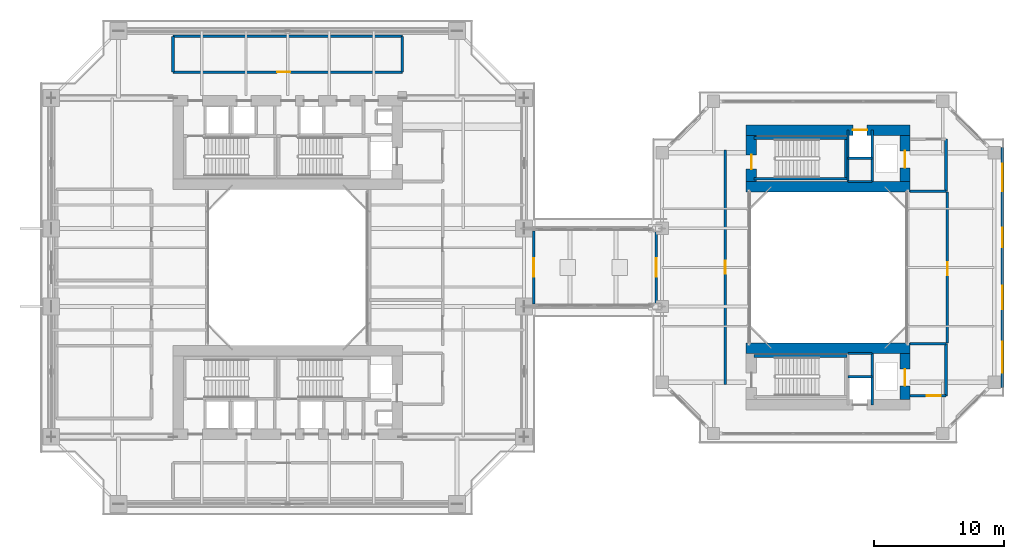
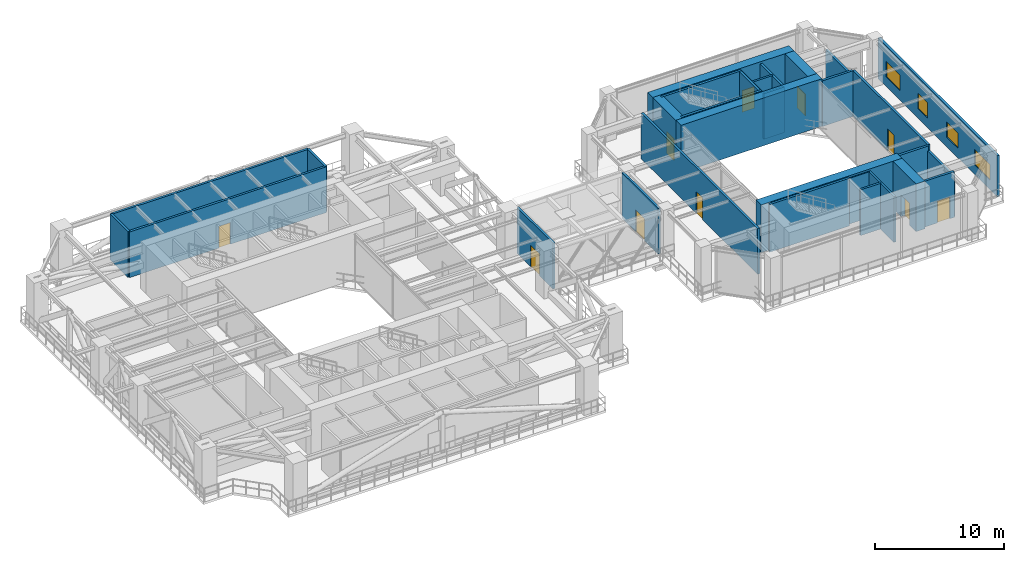
# One storey, part 19 of 26: 31 walls, 10 doors, 4 windows, 14 openings.
"""IFC4 building model written with IfcOpenShell, lengths in metres."""

from ifc_helpers import new_model, si_unit, direction, frame, frame_2d, origin, place, context, subcontext, project, spatial, rectangle, extrude, source, transform, mapped, material, layer, layer_set, type_object, element, fill, save


model = new_model("IFC4")

# Units and contexts
model_context = context("Model", 3, precision=1e-05, world=origin(), true_north=direction((0.0, 1.0)))
body_context = subcontext(model_context, "Body", "Model", "MODEL_VIEW")
ifc_project = project(units=[si_unit("LENGTHUNIT", "METRE"), si_unit("AREAUNIT", "SQUARE_METRE"), si_unit("VOLUMEUNIT", "CUBIC_METRE"), si_unit("PLANEANGLEUNIT", "RADIAN"), si_unit("MASSUNIT", "GRAM", prefix="KILO"), si_unit("THERMODYNAMICTEMPERATUREUNIT", "KELVIN"), si_unit("POWERUNIT", "WATT")], contexts=[model_context])

# Site, building, storey
site_placement = place(None, origin())
site = spatial("IfcSite", under=ifc_project, at=site_placement, CompositionType="ELEMENT")
building_placement = place(site_placement, origin())
building = spatial("IfcBuilding", under=site, at=building_placement, Name="Qiaomeng Ring Towers", CompositionType="ELEMENT")
storey_placement = place(building_placement, frame((0.0, 0.0, 45.75)))
storey = spatial("IfcBuildingStorey", under=building, at=storey_placement, Name="L12", CompositionType="ELEMENT", Elevation=45.75)

# Wall, openings, windows
ifc_material_1 = material(Name="Precast concrete C40", Category="concrete")
ifc_layer_1 = layer(ifc_material_1, 0.219970703125, Name="Precast concrete C40")
ifc_layer_set_1 = layer_set([ifc_layer_1], Name="Precast concrete C40")
wall_type_1 = type_object("IfcWallType", Name="ARC-WL-EW2", PredefinedType="STANDARD", material=ifc_layer_set_1)
wall_1_placement = place(storey_placement, frame((73.889892578125, 13.800048828125, 0.0), z_axis=(0.0, 0.0, 1.0), x_axis=(0.0, 1.0, 0.0)))
wall_1 = element("IfcWall", 1, at=wall_1_placement, inside=storey, type_object=wall_type_1, Name="L12 Companion East Wall", PredefinedType="STANDARD", context=body_context, shape_type="SweptSolid", body=[
    extrude(rectangle(XDim=18.39990234375, YDim=0.219970703125, at=frame_2d((9.199951171875, 0.0))), origin(), (0.0, 0.0, 1.0), 3.860107421875),
])
opening_1_placement = place(wall_1_placement, frame((1.10009765625, 0.0, 0.89990234375)))
opening_1 = element("IfcOpeningElement", 2, at=opening_1_placement, cuts=wall_1, Name="Opening WN6", PredefinedType="OPENING", context=body_context, shape_type="SweptSolid", body=[
    extrude(rectangle(XDim=2.39990234375, YDim=1.47998046875, at=frame_2d((1.199951171875, 0.739990234375))), frame((0.0, 0.119873046875, 0.0), z_axis=(0.0, -1.0, 0.0), x_axis=(1.0, 0.0, 0.0)), (0.0, 0.0, 1.0), 0.239990234375),
])
opening_2_placement = place(wall_1_placement, frame((6.0, 0.0, 0.89990234375)))
opening_2 = element("IfcOpeningElement", 3, at=opening_2_placement, cuts=wall_1, Name="Opening WN1", PredefinedType="OPENING", context=body_context, shape_type="SweptSolid", body=[
    extrude(rectangle(XDim=1.800048828125, YDim=1.449951171875, at=frame_2d((0.89990234375, 0.72509765625))), frame((0.0, 0.119873046875, 0.0), z_axis=(0.0, -1.0, 0.0), x_axis=(1.0, 0.0, 0.0)), (0.0, 0.0, 1.0), 0.239990234375),
])
opening_3_placement = place(wall_1_placement, frame((10.75, 0.0, 0.89990234375)))
opening_3 = element("IfcOpeningElement", 4, at=opening_3_placement, cuts=wall_1, Name="Opening WN2", PredefinedType="OPENING", context=body_context, shape_type="SweptSolid", body=[
    extrude(rectangle(XDim=1.5, YDim=1.449951171875, at=frame_2d((0.75, 0.72509765625))), frame((0.0, 0.119873046875, 0.0), z_axis=(0.0, -1.0, 0.0), x_axis=(1.0, 0.0, 0.0)), (0.0, 0.0, 1.0), 0.239990234375),
])
opening_4_placement = place(wall_1_placement, frame((15.050048828125, 0.0, 0.89990234375)))
opening_4 = element("IfcOpeningElement", 5, at=opening_4_placement, cuts=wall_1, Name="Opening WN4", PredefinedType="OPENING", context=body_context, shape_type="SweptSolid", body=[
    extrude(rectangle(XDim=2.10009765625, YDim=1.47998046875, at=frame_2d((1.050048828125, 0.739990234375))), frame((0.0, 0.119873046875, 0.0), z_axis=(0.0, -1.0, 0.0), x_axis=(1.0, 0.0, 0.0)), (0.0, 0.0, 1.0), 0.239990234375),
])
ifc_material_2 = material(Name="Low-E dark-grey laminated double glazing", Category="glass")
window_type_1 = type_object("IfcWindowType", Name="ARC-WN-2", PartitioningType="DOUBLE_PANEL_VERTICAL", PredefinedType="WINDOW", material=ifc_material_2)
shared_shape_1 = source(origin(), body_context, "Body", "SweptSolid", [
    extrude(rectangle(XDim=1.5, YDim=1.449951171875, at=frame_2d((0.75, 0.72509765625))), frame((0.0, 0.030029296875, 0.0), z_axis=(0.0, -1.0, 0.0), x_axis=(1.0, 0.0, 0.0)), (0.0, 0.0, 1.0), 0.06005859375),
])
window_1_placement = place(opening_3_placement, origin())
window_1 = element("IfcWindow", 6, at=window_1_placement, inside=storey, type_object=window_type_1, Name="L12 Exterior Window WN2", OverallHeight=1.449951171875, OverallWidth=1.5, PartitioningType="DOUBLE_PANEL_VERTICAL", PredefinedType="WINDOW", context=body_context, shape_type="MappedRepresentation", body=[
    mapped(shared_shape_1, transform((0.0, 0.0, 0.0), x_axis=(1.0, 0.0, 0.0), y_axis=(0.0, 1.0, 0.0), z_axis=(0.0, 0.0, 1.0), scale=1.0)),
])
fill(opening_3, window_1)
window_type_2 = type_object("IfcWindowType", Name="ARC-WN-4", PartitioningType="TRIPLE_PANEL_VERTICAL", PredefinedType="WINDOW", material=ifc_material_2)
shared_shape_2 = source(origin(), body_context, "Body", "SweptSolid", [
    extrude(rectangle(XDim=2.10009765625, YDim=1.47998046875, at=frame_2d((1.050048828125, 0.739990234375))), frame((0.0, 0.030029296875, 0.0), z_axis=(0.0, -1.0, 0.0), x_axis=(1.0, 0.0, 0.0)), (0.0, 0.0, 1.0), 0.06005859375),
])
window_2_placement = place(opening_4_placement, origin())
window_2 = element("IfcWindow", 7, at=window_2_placement, inside=storey, type_object=window_type_2, Name="L12 Exterior Window WN4", OverallHeight=1.47998046875, OverallWidth=2.10009765625, PartitioningType="TRIPLE_PANEL_VERTICAL", PredefinedType="WINDOW", context=body_context, shape_type="MappedRepresentation", body=[
    mapped(shared_shape_2, transform((0.0, 0.0, 0.0), x_axis=(1.0, 0.0, 0.0), y_axis=(0.0, 1.0, 0.0), z_axis=(0.0, 0.0, 1.0), scale=1.0)),
])
fill(opening_4, window_2)
window_type_3 = type_object("IfcWindowType", Name="ARC-WN-1", PartitioningType="DOUBLE_PANEL_VERTICAL", PredefinedType="WINDOW", material=ifc_material_2)
shared_shape_3 = source(origin(), body_context, "Body", "SweptSolid", [
    extrude(rectangle(XDim=1.800048828125, YDim=1.449951171875, at=frame_2d((0.89990234375, 0.72509765625))), frame((0.0, 0.030029296875, 0.0), z_axis=(0.0, -1.0, 0.0), x_axis=(1.0, 0.0, 0.0)), (0.0, 0.0, 1.0), 0.06005859375),
])
window_3_placement = place(opening_2_placement, origin())
window_3 = element("IfcWindow", 8, at=window_3_placement, inside=storey, type_object=window_type_3, Name="L12 Exterior Window WN1", OverallHeight=1.449951171875, OverallWidth=1.800048828125, PartitioningType="DOUBLE_PANEL_VERTICAL", PredefinedType="WINDOW", context=body_context, shape_type="MappedRepresentation", body=[
    mapped(shared_shape_3, transform((0.0, 0.0, 0.0), x_axis=(1.0, 0.0, 0.0), y_axis=(0.0, 1.0, 0.0), z_axis=(0.0, 0.0, 1.0), scale=1.0)),
])
fill(opening_2, window_3)
window_type_4 = type_object("IfcWindowType", Name="ARC-WN-6", PartitioningType="TRIPLE_PANEL_VERTICAL", PredefinedType="WINDOW", material=ifc_material_2)
shared_shape_4 = source(origin(), body_context, "Body", "SweptSolid", [
    extrude(rectangle(XDim=2.39990234375, YDim=1.47998046875, at=frame_2d((1.199951171875, 0.739990234375))), frame((0.0, 0.030029296875, 0.0), z_axis=(0.0, -1.0, 0.0), x_axis=(1.0, 0.0, 0.0)), (0.0, 0.0, 1.0), 0.06005859375),
])
window_4_placement = place(opening_1_placement, origin())
window_4 = element("IfcWindow", 9, at=window_4_placement, inside=storey, type_object=window_type_4, Name="L12 Exterior Window WN6", OverallHeight=1.47998046875, OverallWidth=2.39990234375, PartitioningType="TRIPLE_PANEL_VERTICAL", PredefinedType="WINDOW", context=body_context, shape_type="MappedRepresentation", body=[
    mapped(shared_shape_4, transform((0.0, 0.0, 0.0), x_axis=(1.0, 0.0, 0.0), y_axis=(0.0, 1.0, 0.0), z_axis=(0.0, 0.0, 1.0), scale=1.0)),
])
fill(opening_1, window_4)

# Wall, opening, door
ifc_material_3 = material(Name="Autoclaved aerated concrete block", Category="concrete")
ifc_layer_2 = layer(ifc_material_3, 0.199951171875, Name="Autoclaved aerated concrete block")
ifc_layer_set_2 = layer_set([ifc_layer_2], Name="Autoclaved aerated concrete block")
wall_type_2 = type_object("IfcWallType", Name="ARC-WL-PW1", PredefinedType="PARTITIONING", material=ifc_layer_set_2)
wall_2_placement = place(storey_placement, frame((10.199951171875, 38.0, 0.0), z_axis=(0.0, 0.0, 1.0), x_axis=(1.0, 0.0, 0.0)))
wall_2 = element("IfcWall", 10, at=wall_2_placement, inside=storey, type_object=wall_type_2, Name="L12 Interior Wall PW1", PredefinedType="PARTITIONING", context=body_context, shape_type="SweptSolid", body=[
    extrude(rectangle(XDim=17.60009765625, YDim=0.199951171875, at=frame_2d((8.800048828125, 0.0))), origin(), (0.0, 0.0, 1.0), 4.320068359375),
])
opening_5_placement = place(wall_2_placement, frame((8.0, 0.0, 0.0)))
opening_5 = element("IfcOpeningElement", 11, at=opening_5_placement, cuts=wall_2, Name="Opening FD1", PredefinedType="OPENING", context=body_context, shape_type="SweptSolid", body=[
    extrude(rectangle(XDim=1.0, YDim=2.050048828125, at=frame_2d((0.5, 1.02490234375))), frame((0.0, 0.10986328125, 0.0), z_axis=(0.0, -1.0, 0.0), x_axis=(1.0, 0.0, 0.0)), (0.0, 0.0, 1.0), 0.219970703125),
])
ifc_material_4 = material(Name="Galvanised steel", Category="steel")
door_type_1 = type_object("IfcDoorType", Name="ARC-DR-FD1", OperationType="NOTDEFINED", PredefinedType="DOOR", material=ifc_material_4)
shared_shape_5 = source(origin(), body_context, "Body", "SweptSolid", [
    extrude(rectangle(XDim=1.0, YDim=2.050048828125, at=frame_2d((0.5, 1.02490234375))), frame((0.0, 0.02490234375, 0.0), z_axis=(0.0, -1.0, 0.0), x_axis=(1.0, 0.0, 0.0)), (0.0, 0.0, 1.0), 0.050048828125),
])
door_1_placement = place(opening_5_placement, origin())
door_1 = element("IfcDoor", 12, at=door_1_placement, inside=storey, type_object=door_type_1, Name="L12 Door FD1", OperationType="SINGLE_SWING_LEFT", OverallHeight=2.050048828125, OverallWidth=1.0, PredefinedType="DOOR", context=body_context, shape_type="MappedRepresentation", body=[
    mapped(shared_shape_5, transform((0.0, 0.0, 0.0), x_axis=(1.0, 0.0, 0.0), y_axis=(0.0, 1.0, 0.0), z_axis=(0.0, 0.0, 1.0), scale=1.0)),
])
fill(opening_5, door_1)

# Walls
for number, where, z_axis, x_axis, name in (
    (13, (10.199951171875, 38.0, 0.0), (0.0, 0.0, 1.0), (0.0, 1.0, 0.0), "L12 Interior Wall PW1"),
    (14, (27.800048828125, 38.0, 0.0), (0.0, 0.0, 1.0), (0.0, 1.0, 0.0), "L12 Interior Wall PW1"),
):
    element("IfcWall", number, at=place(storey_placement, frame(where, z_axis=z_axis, x_axis=x_axis)), inside=storey, type_object=wall_type_2, Name=name, PredefinedType="PARTITIONING", context=body_context, shape_type="SweptSolid", body=[
        extrude(rectangle(XDim=2.75, YDim=0.199951171875, at=frame_2d((1.375, 0.0))), origin(), (0.0, 0.0, 1.0), 4.320068359375),
    ])
wall_3_placement = place(storey_placement, frame((10.199951171875, 40.75, 0.0), z_axis=(0.0, 0.0, 1.0), x_axis=(1.0, 0.0, 0.0)))
element("IfcWall", 15, at=wall_3_placement, inside=storey, type_object=wall_type_2, Name="L12 Interior Wall PW1", PredefinedType="PARTITIONING", context=body_context, shape_type="SweptSolid", body=[
    extrude(rectangle(XDim=17.60009765625, YDim=0.199951171875, at=frame_2d((8.800048828125, 0.0))), origin(), (0.0, 0.0, 1.0), 4.320068359375),
])

# Wall, opening, door
wall_4_placement = place(storey_placement, frame((37.89990234375, 20.199951171875, 0.0), z_axis=(0.0, 0.0, 1.0), x_axis=(0.0, 1.0, 0.0)))
wall_4 = element("IfcWall", 16, at=wall_4_placement, inside=storey, type_object=wall_type_2, Name="L12 Interior Wall PW1", PredefinedType="PARTITIONING", context=body_context, shape_type="SweptSolid", body=[
    extrude(rectangle(XDim=5.60009765625, YDim=0.199951171875, at=frame_2d((2.800048828125, 0.0))), origin(), (0.0, 0.0, 1.0), 4.320068359375),
])
opening_6_placement = place(wall_4_placement, frame((2.10009765625, 0.0, 0.0)))
opening_6 = element("IfcOpeningElement", 17, at=opening_6_placement, cuts=wall_4, Name="Opening FD5", PredefinedType="OPENING", context=body_context, shape_type="SweptSolid", body=[
    extrude(rectangle(XDim=1.39990234375, YDim=2.050048828125, at=frame_2d((0.699951171875, 1.02490234375))), frame((0.0, 0.10986328125, 0.0), z_axis=(0.0, -1.0, 0.0), x_axis=(1.0, 0.0, 0.0)), (0.0, 0.0, 1.0), 0.219970703125),
])
door_type_2 = type_object("IfcDoorType", Name="ARC-DR-FD5", OperationType="NOTDEFINED", PredefinedType="DOOR", material=ifc_material_4)
shared_shape_6 = source(origin(), body_context, "Body", "SweptSolid", [
    extrude(rectangle(XDim=1.39990234375, YDim=2.050048828125, at=frame_2d((0.699951171875, 1.02490234375))), frame((0.0, 0.02490234375, 0.0), z_axis=(0.0, -1.0, 0.0), x_axis=(1.0, 0.0, 0.0)), (0.0, 0.0, 1.0), 0.050048828125),
])
door_2_placement = place(opening_6_placement, origin())
door_2 = element("IfcDoor", 18, at=door_2_placement, inside=storey, type_object=door_type_2, Name="SB1 West Tower Fire Door", OperationType="SINGLE_SWING_RIGHT", OverallHeight=2.050048828125, OverallWidth=1.39990234375, PredefinedType="DOOR", context=body_context, shape_type="MappedRepresentation", body=[
    mapped(shared_shape_6, transform((0.0, 0.0, 0.0), x_axis=(1.0, 0.0, 0.0), y_axis=(0.0, 1.0, 0.0), z_axis=(0.0, 0.0, 1.0), scale=1.0)),
])
fill(opening_6, door_2)

wall_5_placement = place(storey_placement, frame((47.300048828125, 20.199951171875, 0.0), z_axis=(0.0, 0.0, 1.0), x_axis=(0.0, 1.0, 0.0)))
wall_5 = element("IfcWall", 19, at=wall_5_placement, inside=storey, type_object=wall_type_2, Name="L12 Interior Wall PW1", PredefinedType="PARTITIONING", context=body_context, shape_type="SweptSolid", body=[
    extrude(rectangle(XDim=5.60009765625, YDim=0.199951171875, at=frame_2d((2.800048828125, 0.0))), origin(), (0.0, 0.0, 1.0), 4.320068359375),
])
opening_7_placement = place(wall_5_placement, frame((2.10009765625, 0.0, 0.0)))
opening_7 = element("IfcOpeningElement", 20, at=opening_7_placement, cuts=wall_5, Name="Opening FD5", PredefinedType="OPENING", context=body_context, shape_type="SweptSolid", body=[
    extrude(rectangle(XDim=1.39990234375, YDim=2.050048828125, at=frame_2d((0.699951171875, 1.02490234375))), frame((0.0, 0.10986328125, 0.0), z_axis=(0.0, -1.0, 0.0), x_axis=(1.0, 0.0, 0.0)), (0.0, 0.0, 1.0), 0.219970703125),
])
door_3_placement = place(opening_7_placement, origin())
door_3 = element("IfcDoor", 21, at=door_3_placement, inside=storey, type_object=door_type_2, Name="SB1 Companion Fire Door", OperationType="SINGLE_SWING_LEFT", OverallHeight=2.050048828125, OverallWidth=1.39990234375, PredefinedType="DOOR", context=body_context, shape_type="MappedRepresentation", body=[
    mapped(shared_shape_6, transform((0.0, 0.0, 0.0), x_axis=(1.0, 0.0, 0.0), y_axis=(0.0, 1.0, 0.0), z_axis=(0.0, 0.0, 1.0), scale=1.0)),
])
fill(opening_7, door_3)

# Walls
wall_6_placement = place(storey_placement, frame((66.800048828125, 28.85009765625, 0.0), z_axis=(0.0, 0.0, 1.0), x_axis=(1.0, 0.0, 0.0)))
element("IfcWall", 22, at=wall_6_placement, inside=storey, type_object=wall_type_2, Name="L12 Interior Wall PW1", PredefinedType="PARTITIONING", context=body_context, shape_type="SweptSolid", body=[
    extrude(rectangle(XDim=2.75, YDim=0.199951171875, at=frame_2d((1.375, 0.0))), origin(), (0.0, 0.0, 1.0), 4.320068359375),
])
wall_7_placement = place(storey_placement, frame((69.550048828125, 28.85009765625, 0.0), z_axis=(0.0, 0.0, 1.0), x_axis=(0.0, 1.0, 0.0)))
element("IfcWall", 23, at=wall_7_placement, inside=storey, type_object=wall_type_2, Name="L12 Interior Wall PW1", PredefinedType="PARTITIONING", context=body_context, shape_type="SweptSolid", body=[
    extrude(rectangle(XDim=4.0, YDim=0.199951171875, at=frame_2d((2.0, 0.0))), origin(), (0.0, 0.0, 1.0), 3.864990234375),
])
wall_8_placement = place(storey_placement, frame((66.800048828125, 17.14990234375, 0.0), z_axis=(0.0, 0.0, 1.0), x_axis=(1.0, 0.0, 0.0)))
element("IfcWall", 24, at=wall_8_placement, inside=storey, type_object=wall_type_2, Name="L12 Interior Wall PW1", PredefinedType="PARTITIONING", context=body_context, shape_type="SweptSolid", body=[
    extrude(rectangle(XDim=2.75, YDim=0.199951171875, at=frame_2d((1.375, 0.0))), origin(), (0.0, 0.0, 1.0), 4.320068359375),
])
wall_9_placement = place(storey_placement, frame((69.550048828125, 13.14990234375, 0.0), z_axis=(0.0, 0.0, 1.0), x_axis=(0.0, 1.0, 0.0)))
element("IfcWall", 25, at=wall_9_placement, inside=storey, type_object=wall_type_2, Name="L12 Interior Wall PW1", PredefinedType="PARTITIONING", context=body_context, shape_type="SweptSolid", body=[
    extrude(rectangle(XDim=4.0, YDim=0.199951171875, at=frame_2d((2.0, 0.0))), origin(), (0.0, 0.0, 1.0), 3.864990234375),
])

# Wall, opening, door
wall_10_placement = place(storey_placement, frame((66.800048828125, 13.14990234375, 0.0), z_axis=(0.0, 0.0, 1.0), x_axis=(1.0, 0.0, 0.0)))
wall_10 = element("IfcWall", 26, at=wall_10_placement, inside=storey, type_object=wall_type_2, Name="L12 Interior Wall PW1", PredefinedType="PARTITIONING", context=body_context, shape_type="SweptSolid", body=[
    extrude(rectangle(XDim=2.75, YDim=0.199951171875, at=frame_2d((1.375, 0.0))), origin(), (0.0, 0.0, 1.0), 4.320068359375),
])
opening_8_placement = place(wall_10_placement, frame((1.25, 0.0, 0.0)))
opening_8 = element("IfcOpeningElement", 27, at=opening_8_placement, cuts=wall_10, Name="Opening FD3", PredefinedType="OPENING", context=body_context, shape_type="SweptSolid", body=[
    extrude(rectangle(XDim=1.10009765625, YDim=2.050048828125, at=frame_2d((0.550048828125, 1.02490234375))), frame((0.0, 0.10986328125, 0.0), z_axis=(0.0, -1.0, 0.0), x_axis=(1.0, 0.0, 0.0)), (0.0, 0.0, 1.0), 0.219970703125),
])
door_type_3 = type_object("IfcDoorType", Name="ARC-DR-FD3", OperationType="NOTDEFINED", PredefinedType="DOOR", material=ifc_material_4)
shared_shape_7 = source(origin(), body_context, "Body", "SweptSolid", [
    extrude(rectangle(XDim=1.10009765625, YDim=2.050048828125, at=frame_2d((0.550048828125, 1.02490234375))), frame((0.0, 0.02490234375, 0.0), z_axis=(0.0, -1.0, 0.0), x_axis=(1.0, 0.0, 0.0)), (0.0, 0.0, 1.0), 0.050048828125),
])
door_4_placement = place(opening_8_placement, origin())
door_4 = element("IfcDoor", 28, at=door_4_placement, inside=storey, type_object=door_type_3, Name="L12 Door FD3", OperationType="SINGLE_SWING_RIGHT", OverallHeight=2.050048828125, OverallWidth=1.10009765625, PredefinedType="DOOR", context=body_context, shape_type="MappedRepresentation", body=[
    mapped(shared_shape_7, transform((0.0, 0.0, 0.0), x_axis=(1.0, 0.0, 0.0), y_axis=(0.0, 1.0, 0.0), z_axis=(0.0, 0.0, 1.0), scale=1.0)),
])
fill(opening_8, door_4)

wall_11_placement = place(storey_placement, frame((52.60009765625, 14.0, 0.0), z_axis=(0.0, 0.0, 1.0), x_axis=(0.0, 1.0, 0.0)))
wall_11 = element("IfcWall", 29, at=wall_11_placement, inside=storey, type_object=wall_type_2, Name="L12 Interior Wall PW1", PredefinedType="PARTITIONING", context=body_context, shape_type="SweptSolid", body=[
    extrude(rectangle(XDim=18.0, YDim=0.199951171875, at=frame_2d((9.0, 0.0))), origin(), (0.0, 0.0, 1.0), 4.320068359375),
])
opening_9_placement = place(wall_11_placement, frame((8.5, 0.0, 0.0)))
opening_9 = element("IfcOpeningElement", 30, at=opening_9_placement, cuts=wall_11, Name="Opening FD1", PredefinedType="OPENING", context=body_context, shape_type="SweptSolid", body=[
    extrude(rectangle(XDim=1.0, YDim=2.050048828125, at=frame_2d((0.5, 1.02490234375))), frame((0.0, 0.10986328125, 0.0), z_axis=(0.0, -1.0, 0.0), x_axis=(1.0, 0.0, 0.0)), (0.0, 0.0, 1.0), 0.219970703125),
])
door_5_placement = place(opening_9_placement, origin())
door_5 = element("IfcDoor", 31, at=door_5_placement, inside=storey, type_object=door_type_1, Name="L12 Door FD1", OperationType="SINGLE_SWING_RIGHT", OverallHeight=2.050048828125, OverallWidth=1.0, PredefinedType="DOOR", context=body_context, shape_type="MappedRepresentation", body=[
    mapped(shared_shape_5, transform((0.0, 0.0, 0.0), x_axis=(1.0, 0.0, 0.0), y_axis=(0.0, 1.0, 0.0), z_axis=(0.0, 0.0, 1.0), scale=1.0)),
])
fill(opening_9, door_5)

wall_12_placement = place(storey_placement, frame((69.64990234375, 17.199951171875, 0.0), z_axis=(0.0, 0.0, 1.0), x_axis=(0.0, 1.0, 0.0)))
wall_12 = element("IfcWall", 32, at=wall_12_placement, inside=storey, type_object=wall_type_2, Name="L12 Interior Wall PW1", PredefinedType="PARTITIONING", context=body_context, shape_type="SweptSolid", body=[
    extrude(rectangle(XDim=11.60009765625, YDim=0.199951171875, at=frame_2d((5.800048828125, 0.0))), origin(), (0.0, 0.0, 1.0), 4.320068359375),
])
opening_10_placement = place(wall_12_placement, frame((5.199951171875, 0.0, 0.0)))
opening_10 = element("IfcOpeningElement", 33, at=opening_10_placement, cuts=wall_12, Name="Opening FD1", PredefinedType="OPENING", context=body_context, shape_type="SweptSolid", body=[
    extrude(rectangle(XDim=1.0, YDim=2.050048828125, at=frame_2d((0.5, 1.02490234375))), frame((0.0, 0.10986328125, 0.0), z_axis=(0.0, -1.0, 0.0), x_axis=(1.0, 0.0, 0.0)), (0.0, 0.0, 1.0), 0.219970703125),
])
door_6_placement = place(opening_10_placement, origin())
door_6 = element("IfcDoor", 34, at=door_6_placement, inside=storey, type_object=door_type_1, Name="L12 Door FD1", OperationType="SINGLE_SWING_LEFT", OverallHeight=2.050048828125, OverallWidth=1.0, PredefinedType="DOOR", context=body_context, shape_type="MappedRepresentation", body=[
    mapped(shared_shape_5, transform((0.0, 0.0, 0.0), x_axis=(1.0, 0.0, 0.0), y_axis=(0.0, 1.0, 0.0), z_axis=(0.0, 0.0, 1.0), scale=1.0)),
])
fill(opening_10, door_6)

# Walls
ifc_material_5 = material(Name="Concrete C40", Category="concrete")
ifc_layer_3 = layer(ifc_material_5, 0.199951171875, Name="Concrete C40")
ifc_layer_set_3 = layer_set([ifc_layer_3], Name="Concrete C40")
wall_type_3 = type_object("IfcWallType", Name="STR-WL-STSHAFT", PredefinedType="SHEAR", material=ifc_layer_set_3)
for number, where, z_axis, x_axis, name in (
    (35, (62.02001953125, 29.60009765625, 0.0), (0.0, 0.0, 1.0), (0.0, 1.0, 0.0), "L12 Companion Lift Shaft West Wall N"),
    (36, (63.8798828125, 29.60009765625, 0.0), (0.0, 0.0, 1.0), (0.0, 1.0, 0.0), "L12 Companion Lift Shaft East Wall N"),
):
    element("IfcWall", number, at=place(storey_placement, frame(where, z_axis=z_axis, x_axis=x_axis)), inside=storey, type_object=wall_type_3, Name=name, PredefinedType="SHEAR", context=body_context, shape_type="SweptSolid", body=[
        extrude(rectangle(XDim=3.949951171875, YDim=0.179931640625, at=frame_2d((1.97509765625, 0.0))), origin(), (0.0, 0.0, 1.0), 4.320068359375),
    ])
for number, where, z_axis, x_axis, name in (
    (37, (62.02001953125, 31.3798828125, 0.0), (0.0, 0.0, 1.0), (1.0, 0.0, 0.0), "L12 Companion Lift Shaft Divider Wall N"),
    (38, (62.02001953125, 29.60009765625, 0.0), (0.0, 0.0, 1.0), (1.0, 0.0, 0.0), "L12 Companion Riser Shaft Back Wall N"),
):
    element("IfcWall", number, at=place(storey_placement, frame(where, z_axis=z_axis, x_axis=x_axis)), inside=storey, type_object=wall_type_3, Name=name, PredefinedType="SHEAR", context=body_context, shape_type="SweptSolid", body=[
        extrude(rectangle(XDim=1.85986328125, YDim=0.179931640625, at=frame_2d((0.929931640625, 0.0))), origin(), (0.0, 0.0, 1.0), 4.320068359375),
    ])
wall_13_placement = place(storey_placement, frame((63.8798828125, 12.449951171875, 0.0), z_axis=(0.0, 0.0, 1.0), x_axis=(0.0, 1.0, 0.0)))
element("IfcWall", 39, at=wall_13_placement, inside=storey, type_object=wall_type_3, Name="L12 Companion Lift Shaft East Wall S", PredefinedType="SHEAR", context=body_context, shape_type="SweptSolid", body=[
    extrude(rectangle(XDim=3.949951171875, YDim=0.179931640625, at=frame_2d((1.97509765625, 0.0))), origin(), (0.0, 0.0, 1.0), 4.320068359375),
])
for number, where, z_axis, x_axis, name in (
    (40, (62.02001953125, 14.6201171875, 0.0), (0.0, 0.0, 1.0), (1.0, 0.0, 0.0), "L12 Companion Lift Shaft Divider Wall S"),
    (41, (62.02001953125, 16.39990234375, 0.0), (0.0, 0.0, 1.0), (1.0, 0.0, 0.0), "L12 Companion Riser Shaft Back Wall S"),
):
    element("IfcWall", number, at=place(storey_placement, frame(where, z_axis=z_axis, x_axis=x_axis)), inside=storey, type_object=wall_type_3, Name=name, PredefinedType="SHEAR", context=body_context, shape_type="SweptSolid", body=[
        extrude(rectangle(XDim=1.85986328125, YDim=0.179931640625, at=frame_2d((0.929931640625, 0.0))), origin(), (0.0, 0.0, 1.0), 4.320068359375),
    ])
for number, where, z_axis, x_axis, name in (
    (42, (54.800048828125, 29.800048828125, 0.0), (0.0, 0.0, 1.0), (1.0, 0.0, 0.0), "L12 Stair ST5 South Shaft Shear Wall"),
    (43, (54.800048828125, 32.93994140625, 0.0), (0.0, 0.0, 1.0), (1.0, 0.0, 0.0), "L12 Stair ST5 North Shaft Shear Wall"),
):
    element("IfcWall", number, at=place(storey_placement, frame(where, z_axis=z_axis, x_axis=x_axis)), inside=storey, type_object=wall_type_3, Name=name, PredefinedType="SHEAR", context=body_context, shape_type="SweptSolid", body=[
        extrude(rectangle(XDim=7.14990234375, YDim=0.199951171875, at=frame_2d((3.574951171875, 0.0))), origin(), (0.0, 0.0, 1.0), 4.5),
    ])
wall_14_placement = place(storey_placement, frame((61.85009765625, 29.89990234375, 0.0), z_axis=(0.0, 0.0, 1.0), x_axis=(0.0, 1.0, 0.0)))
element("IfcWall", 44, at=wall_14_placement, inside=storey, type_object=wall_type_3, Name="L12 Stair ST5 East Shaft Shear Wall", PredefinedType="SHEAR", context=body_context, shape_type="SweptSolid", body=[
    extrude(rectangle(XDim=2.940185546875, YDim=0.199951171875, at=frame_2d((1.47021484375, 0.0))), origin(), (0.0, 0.0, 1.0), 4.5),
])
wall_15_placement = place(storey_placement, frame((54.800048828125, 16.199951171875, 0.0), z_axis=(0.0, 0.0, 1.0), x_axis=(1.0, 0.0, 0.0)))
element("IfcWall", 45, at=wall_15_placement, inside=storey, type_object=wall_type_3, Name="L12 Stair ST6 North Shaft Shear Wall", PredefinedType="SHEAR", context=body_context, shape_type="SweptSolid", body=[
    extrude(rectangle(XDim=7.14990234375, YDim=0.199951171875, at=frame_2d((3.574951171875, 0.0))), origin(), (0.0, 0.0, 1.0), 4.5),
])
ifc_material_6 = material(Name="Concrete C60", Category="concrete")
ifc_layer_4 = layer(ifc_material_6, 0.800048828125, Name="Concrete C60")
ifc_layer_set_4 = layer_set([ifc_layer_4], Name="Concrete C60")
wall_type_4 = type_object("IfcWallType", Name="STR-WL-SW1", PredefinedType="SHEAR", material=ifc_layer_set_4)
wall_16_placement = place(storey_placement, frame((54.199951171875, 29.199951171875, 0.0), z_axis=(0.0, 0.0, 1.0), x_axis=(1.0, 0.0, 0.0)))
element("IfcWall", 46, at=wall_16_placement, inside=storey, type_object=wall_type_4, Name="L12 T2NC south core shear wall", PredefinedType="SHEAR", context=body_context, shape_type="SweptSolid", body=[
    extrude(rectangle(XDim=12.60009765625, YDim=0.800048828125, at=frame_2d((6.300048828125, 0.0))), origin(), (0.0, 0.0, 1.0), 4.5),
])

# Wall, opening, door
wall_17_placement = place(storey_placement, frame((54.199951171875, 33.550048828125, 0.0), z_axis=(0.0, 0.0, 1.0), x_axis=(1.0, 0.0, 0.0)))
wall_17 = element("IfcWall", 47, at=wall_17_placement, inside=storey, type_object=wall_type_4, Name="L12 T2NC north core shear wall", PredefinedType="SHEAR", context=body_context, shape_type="SweptSolid", body=[
    extrude(rectangle(XDim=12.60009765625, YDim=0.800048828125, at=frame_2d((6.300048828125, 0.0))), origin(), (0.0, 0.0, 1.0), 4.5),
])
opening_11_placement = place(wall_17_placement, frame((8.199951171875, 0.0, 0.0)))
opening_11 = element("IfcOpeningElement", 48, at=opening_11_placement, cuts=wall_17, Name="Opening LD1", PredefinedType="OPENING", context=body_context, shape_type="SweptSolid", body=[
    extrude(rectangle(XDim=1.10009765625, YDim=2.050048828125, at=frame_2d((0.550048828125, 1.02490234375))), frame((0.0, 0.409912109375, 0.0), z_axis=(0.0, -1.0, 0.0), x_axis=(1.0, 0.0, 0.0)), (0.0, 0.0, 1.0), 0.820068359375),
])
ifc_material_7 = material(Name="Stainless steel 316", Category="steel")
door_type_4 = type_object("IfcDoorType", Name="ARC-DR-LD1", OperationType="NOTDEFINED", PredefinedType="DOOR", material=ifc_material_7)
door_7_placement = place(opening_11_placement, origin())
door_7 = element("IfcDoor", 49, at=door_7_placement, inside=storey, type_object=door_type_4, Name="L12 Companion Lift LP7 Landing Door", OperationType="SLIDING_TO_LEFT", OverallHeight=2.050048828125, OverallWidth=1.10009765625, PredefinedType="DOOR", context=body_context, shape_type="MappedRepresentation", body=[
    mapped(shared_shape_7, transform((0.0, 0.0, 0.0), x_axis=(1.0, 0.0, 0.0), y_axis=(0.0, 1.0, 0.0), z_axis=(0.0, 0.0, 1.0), scale=1.0)),
])
fill(opening_11, door_7)

wall_18_placement = place(storey_placement, frame((54.60009765625, 29.60009765625, 0.0), z_axis=(0.0, 0.0, 1.0), x_axis=(0.0, 1.0, 0.0)))
wall_18 = element("IfcWall", 50, at=wall_18_placement, inside=storey, type_object=wall_type_4, Name="L12 T2NC west core shear wall", PredefinedType="SHEAR", context=body_context, shape_type="SweptSolid", body=[
    extrude(rectangle(XDim=3.5498046875, YDim=0.800048828125, at=frame_2d((1.77490234375, 0.0))), origin(), (0.0, 0.0, 1.0), 4.5),
])
opening_12_placement = place(wall_18_placement, frame((0.949951171875, 0.0, 0.0)))
opening_12 = element("IfcOpeningElement", 51, at=opening_12_placement, cuts=wall_18, Name="Opening FD3", PredefinedType="OPENING", context=body_context, shape_type="SweptSolid", body=[
    extrude(rectangle(XDim=1.10009765625, YDim=2.050048828125, at=frame_2d((0.550048828125, 1.02490234375))), frame((0.0, 0.409912109375, 0.0), z_axis=(0.0, -1.0, 0.0), x_axis=(1.0, 0.0, 0.0)), (0.0, 0.0, 1.0), 0.820068359375),
])
door_8_placement = place(opening_12_placement, origin())
door_8 = element("IfcDoor", 52, at=door_8_placement, inside=storey, type_object=door_type_3, Name="L12 Stair ST5 Exit Door", OperationType="SINGLE_SWING_LEFT", OverallHeight=2.050048828125, OverallWidth=1.10009765625, PredefinedType="DOOR", context=body_context, shape_type="MappedRepresentation", body=[
    mapped(shared_shape_7, transform((0.0, 0.0, 0.0), x_axis=(1.0, 0.0, 0.0), y_axis=(0.0, 1.0, 0.0), z_axis=(0.0, 0.0, 1.0), scale=1.0)),
])
fill(opening_12, door_8)

wall_19_placement = place(storey_placement, frame((66.39990234375, 29.60009765625, 0.0), z_axis=(0.0, 0.0, 1.0), x_axis=(0.0, 1.0, 0.0)))
wall_19 = element("IfcWall", 53, at=wall_19_placement, inside=storey, type_object=wall_type_4, Name="L12 T2NC east core shear wall", PredefinedType="SHEAR", context=body_context, shape_type="SweptSolid", body=[
    extrude(rectangle(XDim=3.5498046875, YDim=0.800048828125, at=frame_2d((1.77490234375, 0.0))), origin(), (0.0, 0.0, 1.0), 4.5),
])
opening_13_placement = place(wall_19_placement, frame((1.050048828125, 0.0, 0.0)))
opening_13 = element("IfcOpeningElement", 54, at=opening_13_placement, cuts=wall_19, Name="Opening LD2", PredefinedType="OPENING", context=body_context, shape_type="SweptSolid", body=[
    extrude(rectangle(XDim=1.300048828125, YDim=2.050048828125, at=frame_2d((0.64990234375, 1.02490234375))), frame((0.0, 0.409912109375, 0.0), z_axis=(0.0, -1.0, 0.0), x_axis=(1.0, 0.0, 0.0)), (0.0, 0.0, 1.0), 0.820068359375),
])
door_type_5 = type_object("IfcDoorType", Name="ARC-DR-LD2", OperationType="NOTDEFINED", PredefinedType="DOOR", material=ifc_material_7)
shared_shape_8 = source(origin(), body_context, "Body", "SweptSolid", [
    extrude(rectangle(XDim=1.300048828125, YDim=2.050048828125, at=frame_2d((0.64990234375, 1.02490234375))), frame((0.0, 0.02490234375, 0.0), z_axis=(0.0, -1.0, 0.0), x_axis=(1.0, 0.0, 0.0)), (0.0, 0.0, 1.0), 0.050048828125),
])
door_9_placement = place(opening_13_placement, origin())
door_9 = element("IfcDoor", 55, at=door_9_placement, inside=storey, type_object=door_type_5, Name="L12 Firefighting Lift FL3 Landing Door", OperationType="SLIDING_TO_LEFT", OverallHeight=2.050048828125, OverallWidth=1.300048828125, PredefinedType="DOOR", context=body_context, shape_type="MappedRepresentation", body=[
    mapped(shared_shape_8, transform((0.0, 0.0, 0.0), x_axis=(1.0, 0.0, 0.0), y_axis=(0.0, 1.0, 0.0), z_axis=(0.0, 0.0, 1.0), scale=1.0)),
])
fill(opening_13, door_9)

# Wall
wall_20_placement = place(storey_placement, frame((54.199951171875, 16.800048828125, 0.0), z_axis=(0.0, 0.0, 1.0), x_axis=(1.0, 0.0, 0.0)))
element("IfcWall", 56, at=wall_20_placement, inside=storey, type_object=wall_type_4, Name="L12 T2SC north core shear wall", PredefinedType="SHEAR", context=body_context, shape_type="SweptSolid", body=[
    extrude(rectangle(XDim=12.60009765625, YDim=0.800048828125, at=frame_2d((6.300048828125, 0.0))), origin(), (0.0, 0.0, 1.0), 4.5),
])

# Wall, opening, door
wall_21_placement = place(storey_placement, frame((66.39990234375, 12.85009765625, 0.0), z_axis=(0.0, 0.0, 1.0), x_axis=(0.0, 1.0, 0.0)))
wall_21 = element("IfcWall", 57, at=wall_21_placement, inside=storey, type_object=wall_type_4, Name="L12 T2SC east core shear wall", PredefinedType="SHEAR", context=body_context, shape_type="SweptSolid", body=[
    extrude(rectangle(XDim=3.5498046875, YDim=0.800048828125, at=frame_2d((1.77490234375, 0.0))), origin(), (0.0, 0.0, 1.0), 4.5),
])
opening_14_placement = place(wall_21_placement, frame((1.050048828125, 0.0, 0.0)))
opening_14 = element("IfcOpeningElement", 58, at=opening_14_placement, cuts=wall_21, Name="Opening LD2", PredefinedType="OPENING", context=body_context, shape_type="SweptSolid", body=[
    extrude(rectangle(XDim=1.300048828125, YDim=2.050048828125, at=frame_2d((0.64990234375, 1.02490234375))), frame((0.0, 0.409912109375, 0.0), z_axis=(0.0, -1.0, 0.0), x_axis=(1.0, 0.0, 0.0)), (0.0, 0.0, 1.0), 0.820068359375),
])
door_10_placement = place(opening_14_placement, origin())
door_10 = element("IfcDoor", 59, at=door_10_placement, inside=storey, type_object=door_type_5, Name="L12 Firefighting Lift FL4 Landing Door", OperationType="SLIDING_TO_RIGHT", OverallHeight=2.050048828125, OverallWidth=1.300048828125, PredefinedType="DOOR", context=body_context, shape_type="MappedRepresentation", body=[
    mapped(shared_shape_8, transform((0.0, 0.0, 0.0), x_axis=(1.0, 0.0, 0.0), y_axis=(0.0, 1.0, 0.0), z_axis=(0.0, 0.0, 1.0), scale=1.0)),
])
fill(opening_14, door_10)

save(model, "model.ifc")
